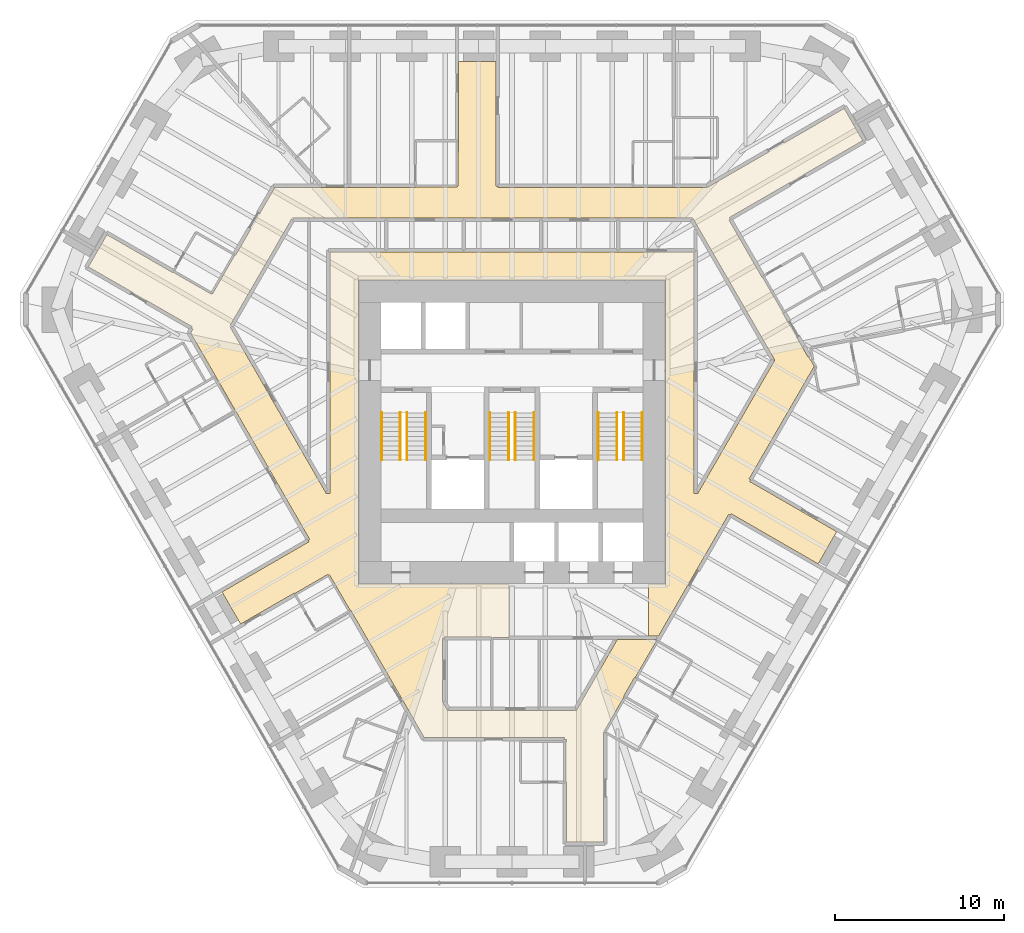
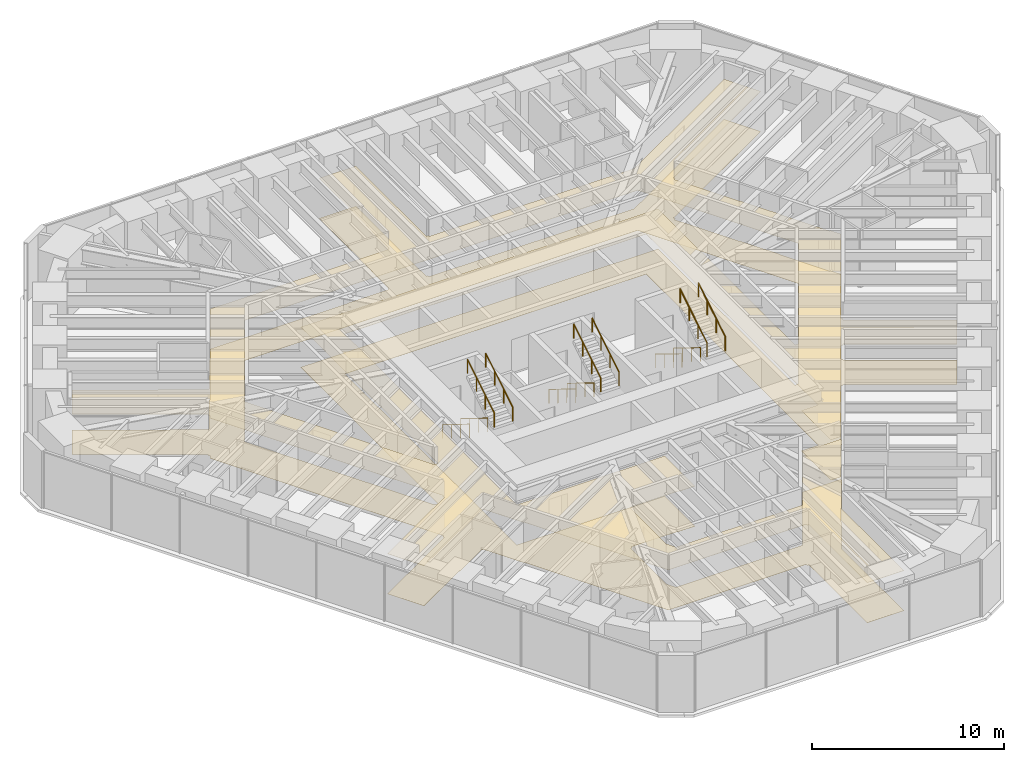
# One storey, part 17 of 17: 12 railings, 2 coverings.
"""IFC4 building model written with IfcOpenShell, lengths in metres."""

from ifc_helpers import new_model, si_unit, direction, frame, origin, origin_2d, place, context, subcontext, project, spatial, polyline, circle, outline, extrude, material, layer, layer_set, type_object, element, save


model = new_model("IFC4")

# Units and contexts
model_context = context("Model", 3, precision=1e-05, world=origin(), true_north=direction((0.0, 1.0)))
body_context = subcontext(model_context, "Body", "Model", "MODEL_VIEW")
ifc_project = project(units=[si_unit("LENGTHUNIT", "METRE"), si_unit("AREAUNIT", "SQUARE_METRE"), si_unit("VOLUMEUNIT", "CUBIC_METRE"), si_unit("PLANEANGLEUNIT", "RADIAN"), si_unit("MASSUNIT", "GRAM", prefix="KILO")], contexts=[model_context])

# Site, building, storey
site_placement = place(None, origin())
site = spatial("IfcSite", under=ifc_project, at=site_placement, CompositionType="ELEMENT")
building_placement = place(site_placement, origin())
building = spatial("IfcBuilding", under=site, at=building_placement, Name="Sandreach Pilgrim Tower", CompositionType="ELEMENT")
storey_placement = place(building_placement, frame((0.0, 0.0, 142.39990234375)))
storey = spatial("IfcBuildingStorey", under=building, at=storey_placement, Name="L35", CompositionType="ELEMENT", Elevation=142.39990234375)

# Coverings
ifc_material_1 = material(Name="Nylon carpet tile on the slab", Category="textile")
ifc_layer_1 = layer(ifc_material_1, 0.008056640625)
ifc_layer_set_1 = layer_set([ifc_layer_1], Name="Carpet tile")
covering_type_1 = type_object("IfcCoveringType", Name="Carpet tile", PredefinedType="FLOORING", material=ifc_layer_set_1)
covering_1_placement = place(storey_placement, origin())
element("IfcCovering", 1, at=covering_1_placement, inside=storey, type_object=covering_type_1, Name="Floor finish 35C Corridor 35", PredefinedType="FLOORING", context=body_context, shape_type="SweptSolid", body=[
    extrude(outline(polyline([(-25.033447265625, 8.206787109375), (-23.933349609375, 10.113525390625), (-20.04150390625, 7.870849609375), (-20.02880859375, 7.892578125), (-17.751708984375, 6.597412109375), (-17.72119140625, 6.649169921875), (-17.68798828125, 6.6298828125), (-16.37353515625, 8.923095703125), (-16.330322265625, 8.898193359375), (-14.022216796875, 12.889892578125), (-5.699951171875, 12.889892578125), (-5.699951171875, 12.9208984375), (-3.25, 12.929931640625), (-3.247802734375, 12.989990234375), (-3.18994140625, 12.989990234375), (-3.18994140625, 14.568115234375), (-3.14990234375, 15.659912109375), (-3.14990234375, 20.333740234375), (-0.949951171875, 20.333740234375), (-0.949951171875, 12.989990234375), (-0.840087890625, 12.989990234375), (-0.840087890625, 12.889892578125), (11.516845703125, 12.889892578125), (19.623291015625, 17.5732421875), (20.723388671875, 15.666748046875), (12.85009765625, 11.126708984375), (12.907470703125, 11.027099609375), (12.82080078125, 10.97705078125), (14.763427734375, 7.610107421875), (14.779052734375, 7.619140625), (16.013916015625, 5.501708984375), (15.991943359375, 5.489013671875), (17.48974609375, 2.88232421875), (17.52880859375, 2.904052734375), (17.8603515625, 2.335693359375), (14.010986328125, -4.31689453125), (14.097412109375, -4.366943359375), (14.0400390625, -4.466552734375), (19.1865234375, -7.435791015625), (18.085693359375, -9.342041015625), (12.952880859375, -6.380859375), (12.904541015625, -6.46484375), (12.803466796875, -6.41015625), (8.657470703125, -13.60009765625), (8.050048828125, -13.60009765625), (8.050048828125, -10.52001953125), (9.070068359375, -10.52001953125), (9.070068359375, 7.419921875), (-9.070068359375, 7.419921875), (-9.070068359375, -10.52001953125), (-0.175048828125, -10.52001953125), (-0.175048828125, -13.68994140625), (-1.199951171875, -13.67919921875), (-1.199951171875, -13.64990234375), (-3.989990234375, -13.64990234375), (-3.989990234375, -13.75), (-4.10009765625, -13.75), (-4.10009765625, -17.487060546875), (-3.8076171875, -17.989990234375), (3.8076171875, -17.989990234375), (6.2265625, -13.800048828125), (8.542236328125, -13.800048828125), (8.513427734375, -13.85009765625), (8.548095703125, -13.8701171875), (7.279541015625, -16.06103515625), (7.243408203125, -16.0400390625), (6.603271484375, -17.150146484375), (6.6376953125, -17.169677734375), (5.409912109375, -19.2900390625), (5.409912109375, -25.780029296875), (3.2099609375, -25.780029296875), (3.2099609375, -19.699951171875), (3.110107421875, -19.699951171875), (3.110107421875, -19.590087890625), (-5.192138671875, -19.590087890625), (-9.5234375, -12.090087890625), (-9.55029296875, -12.10546875), (-10.7880859375, -9.97998046875), (-10.840576171875, -10.009033203125), (-10.8701171875, -9.9580078125), (-12.840087890625, -11.09814453125), (-12.85986328125, -11.0634765625), (-16.033935546875, -12.89599609375), (-17.130615234375, -10.99658203125), (-12.0029296875, -8.0341796875), (-12.052978515625, -7.947509765625), (-11.953369140625, -7.89013671875), (-18.98486328125, 4.300048828125), (-18.858154296875, 4.521728515625), (-18.945068359375, 4.5712890625), (-18.89013671875, 4.666748046875), (-25.033447265625, 8.206787109375)]), holes=[polyline([(-10.96533203125, -5.18994140625), (-10.75, -5.18994140625), (-10.75, 9.10009765625), (10.75, 9.10009765625), (10.75, -5.18994140625), (10.965576171875, -5.18994140625), (15.525390625, 2.699951171875), (10.677734375, 11.090087890625), (-12.98779296875, 11.090087890625), (-16.675537109375, 4.699951171875), (-10.96533203125, -5.18994140625)])]), origin(), (0.0, 0.0, 1.0), 0.008056640625),
])
ifc_material_2 = material(Name="Gypsum board suspended ceiling on a steel grid", Category="steel")
ifc_layer_2 = layer(ifc_material_2, 0.012939453125)
ifc_layer_set_2 = layer_set([ifc_layer_2], Name="Gypsum board suspended ceiling")
covering_type_2 = type_object("IfcCoveringType", Name="Gypsum board suspended ceiling", PredefinedType="CEILING", material=ifc_layer_set_2)
covering_2_placement = place(storey_placement, frame((0.0, 0.0, 2.550048828125)))
element("IfcCovering", 2, at=covering_2_placement, inside=storey, type_object=covering_type_2, Name="Ceiling 35C Corridor 35", PredefinedType="CEILING", context=body_context, shape_type="SweptSolid", body=[
    extrude(outline(polyline([(-25.033447265625, 8.206787109375), (-23.933349609375, 10.113525390625), (-20.04150390625, 7.870849609375), (-20.02880859375, 7.892578125), (-17.751708984375, 6.597412109375), (-17.72119140625, 6.649169921875), (-17.68798828125, 6.6298828125), (-16.37353515625, 8.923095703125), (-16.330322265625, 8.898193359375), (-14.022216796875, 12.889892578125), (-5.699951171875, 12.889892578125), (-5.699951171875, 12.9208984375), (-3.25, 12.929931640625), (-3.247802734375, 12.989990234375), (-3.18994140625, 12.989990234375), (-3.18994140625, 14.568115234375), (-3.14990234375, 15.659912109375), (-3.14990234375, 20.333740234375), (-0.949951171875, 20.333740234375), (-0.949951171875, 12.989990234375), (-0.840087890625, 12.989990234375), (-0.840087890625, 12.889892578125), (11.516845703125, 12.889892578125), (19.623291015625, 17.5732421875), (20.723388671875, 15.666748046875), (12.85009765625, 11.126708984375), (12.907470703125, 11.027099609375), (12.82080078125, 10.97705078125), (14.763427734375, 7.610107421875), (14.779052734375, 7.619140625), (16.013916015625, 5.501708984375), (15.991943359375, 5.489013671875), (17.48974609375, 2.88232421875), (17.52880859375, 2.904052734375), (17.8603515625, 2.335693359375), (14.010986328125, -4.31689453125), (14.097412109375, -4.366943359375), (14.0400390625, -4.466552734375), (19.1865234375, -7.435791015625), (18.085693359375, -9.342041015625), (12.952880859375, -6.380859375), (12.904541015625, -6.46484375), (12.803466796875, -6.41015625), (8.657470703125, -13.60009765625), (8.050048828125, -13.60009765625), (8.050048828125, -10.52001953125), (9.070068359375, -10.52001953125), (9.070068359375, 7.419921875), (-9.070068359375, 7.419921875), (-9.070068359375, -10.52001953125), (-0.175048828125, -10.52001953125), (-0.175048828125, -13.68994140625), (-1.199951171875, -13.67919921875), (-1.199951171875, -13.64990234375), (-3.989990234375, -13.64990234375), (-3.989990234375, -13.75), (-4.10009765625, -13.75), (-4.10009765625, -17.487060546875), (-3.8076171875, -17.989990234375), (3.8076171875, -17.989990234375), (6.2265625, -13.800048828125), (8.542236328125, -13.800048828125), (8.513427734375, -13.85009765625), (8.548095703125, -13.8701171875), (7.279541015625, -16.06103515625), (7.243408203125, -16.0400390625), (6.603271484375, -17.150146484375), (6.6376953125, -17.169677734375), (5.409912109375, -19.2900390625), (5.409912109375, -25.780029296875), (3.2099609375, -25.780029296875), (3.2099609375, -19.699951171875), (3.110107421875, -19.699951171875), (3.110107421875, -19.590087890625), (-5.192138671875, -19.590087890625), (-9.5234375, -12.090087890625), (-9.55029296875, -12.10546875), (-10.7880859375, -9.97998046875), (-10.840576171875, -10.009033203125), (-10.8701171875, -9.9580078125), (-12.840087890625, -11.09814453125), (-12.85986328125, -11.0634765625), (-16.033935546875, -12.89599609375), (-17.130615234375, -10.99658203125), (-12.0029296875, -8.0341796875), (-12.052978515625, -7.947509765625), (-11.953369140625, -7.89013671875), (-18.98486328125, 4.300048828125), (-18.858154296875, 4.521728515625), (-18.945068359375, 4.5712890625), (-18.89013671875, 4.666748046875), (-25.033447265625, 8.206787109375)]), holes=[polyline([(-10.96533203125, -5.18994140625), (-10.75, -5.18994140625), (-10.75, 9.10009765625), (10.75, 9.10009765625), (10.75, -5.18994140625), (10.965576171875, -5.18994140625), (15.525390625, 2.699951171875), (10.677734375, 11.090087890625), (-12.98779296875, 11.090087890625), (-16.675537109375, 4.699951171875), (-10.96533203125, -5.18994140625)])]), origin(), (0.0, 0.0, 1.0), 0.012939453125),
])

# Railings
ifc_material_3 = material(Name="Stainless steel tube", Category="steel")
railing_type = type_object("IfcRailingType", Name="Stair handrail", PredefinedType="HANDRAIL", material=ifc_material_3)
for number, where, name in (
    (3, (-6.60009765625, -0.39990234375, 0.1728515625), "Handrail ST1 L35 flight 1"),
    (4, (-7.699951171875, -0.39990234375, 0.1728515625), "Handrail ST1 L35 flight 1"),
):
    element("IfcRailing", number, at=place(storey_placement, frame(where)), inside=storey, type_object=railing_type, Name=name, PredefinedType="HANDRAIL", context=body_context, shape_type="SweptSolid", body=[
        extrude(circle(Radius=0.02392578125, at=origin_2d()), frame((0.0, 0.0, 0.8759765625), z_axis=(0.0, -0.851089632645, 0.525020415988), x_axis=(1.0, 0.0, 0.0)), (0.0, 0.0, 1.0), 3.2900390625),
        extrude(circle(Radius=0.02099609375, at=origin_2d()), origin(), (0.0, 0.0, 1.0), 0.851806640625),
        extrude(circle(Radius=0.02099609375, at=origin_2d()), frame((0.0, -0.933349609375, 0.57568359375)), (0.0, 0.0, 1.0), 0.851806640625),
        extrude(circle(Radius=0.02099609375, at=origin_2d()), frame((0.0, -1.86669921875, 1.151611328125)), (0.0, 0.0, 1.0), 0.851806640625),
        extrude(circle(Radius=0.02099609375, at=origin_2d()), frame((0.0, -2.800048828125, 1.727294921875)), (0.0, 0.0, 1.0), 0.851806640625),
    ])
for number, where, name in (
    (5, (-6.199951171875, -3.199951171875, 2.07275390625), "Handrail ST1 L35 flight 2"),
    (6, (-5.10009765625, -3.199951171875, 2.07275390625), "Handrail ST1 L35 flight 2"),
):
    element("IfcRailing", number, at=place(storey_placement, frame(where)), inside=storey, type_object=railing_type, Name=name, PredefinedType="HANDRAIL", context=body_context, shape_type="SweptSolid", body=[
        extrude(circle(Radius=0.02392578125, at=origin_2d()), frame((0.0, 0.0, 0.8759765625), z_axis=(0.0, 0.851089632645, 0.525020415988), x_axis=(-1.0, 0.0, 0.0)), (0.0, 0.0, 1.0), 3.2900390625),
        extrude(circle(Radius=0.02099609375, at=origin_2d()), origin(), (0.0, 0.0, 1.0), 0.851806640625),
        extrude(circle(Radius=0.02099609375, at=origin_2d()), frame((0.0, 0.933349609375, 0.57568359375)), (0.0, 0.0, 1.0), 0.851806640625),
        extrude(circle(Radius=0.02099609375, at=origin_2d()), frame((0.0, 1.86669921875, 1.151611328125)), (0.0, 0.0, 1.0), 0.851806640625),
        extrude(circle(Radius=0.02099609375, at=origin_2d()), frame((0.0, 2.800048828125, 1.727294921875)), (0.0, 0.0, 1.0), 0.851806640625),
    ])
for number, where, name in (
    (7, (-0.199951171875, -0.39990234375, 0.1728515625), "Handrail ST3 L35 flight 1"),
    (8, (-1.300048828125, -0.39990234375, 0.1728515625), "Handrail ST3 L35 flight 1"),
):
    element("IfcRailing", number, at=place(storey_placement, frame(where)), inside=storey, type_object=railing_type, Name=name, PredefinedType="HANDRAIL", context=body_context, shape_type="SweptSolid", body=[
        extrude(circle(Radius=0.02392578125, at=origin_2d()), frame((0.0, 0.0, 0.8759765625), z_axis=(0.0, -0.851089632645, 0.525020415988), x_axis=(1.0, 0.0, 0.0)), (0.0, 0.0, 1.0), 3.2900390625),
        extrude(circle(Radius=0.02099609375, at=origin_2d()), origin(), (0.0, 0.0, 1.0), 0.851806640625),
        extrude(circle(Radius=0.02099609375, at=origin_2d()), frame((0.0, -0.933349609375, 0.57568359375)), (0.0, 0.0, 1.0), 0.851806640625),
        extrude(circle(Radius=0.02099609375, at=origin_2d()), frame((0.0, -1.86669921875, 1.151611328125)), (0.0, 0.0, 1.0), 0.851806640625),
        extrude(circle(Radius=0.02099609375, at=origin_2d()), frame((0.0, -2.800048828125, 1.727294921875)), (0.0, 0.0, 1.0), 0.851806640625),
    ])
for number, where, name in (
    (9, (0.199951171875, -3.199951171875, 2.07275390625), "Handrail ST3 L35 flight 2"),
    (10, (1.300048828125, -3.199951171875, 2.07275390625), "Handrail ST3 L35 flight 2"),
):
    element("IfcRailing", number, at=place(storey_placement, frame(where)), inside=storey, type_object=railing_type, Name=name, PredefinedType="HANDRAIL", context=body_context, shape_type="SweptSolid", body=[
        extrude(circle(Radius=0.02392578125, at=origin_2d()), frame((0.0, 0.0, 0.8759765625), z_axis=(0.0, 0.851089632645, 0.525020415988), x_axis=(-1.0, 0.0, 0.0)), (0.0, 0.0, 1.0), 3.2900390625),
        extrude(circle(Radius=0.02099609375, at=origin_2d()), origin(), (0.0, 0.0, 1.0), 0.851806640625),
        extrude(circle(Radius=0.02099609375, at=origin_2d()), frame((0.0, 0.933349609375, 0.57568359375)), (0.0, 0.0, 1.0), 0.851806640625),
        extrude(circle(Radius=0.02099609375, at=origin_2d()), frame((0.0, 1.86669921875, 1.151611328125)), (0.0, 0.0, 1.0), 0.851806640625),
        extrude(circle(Radius=0.02099609375, at=origin_2d()), frame((0.0, 2.800048828125, 1.727294921875)), (0.0, 0.0, 1.0), 0.851806640625),
    ])
for number, where, name in (
    (11, (6.199951171875, -0.39990234375, 0.1728515625), "Handrail ST2 L35 flight 1"),
    (12, (5.10009765625, -0.39990234375, 0.1728515625), "Handrail ST2 L35 flight 1"),
):
    element("IfcRailing", number, at=place(storey_placement, frame(where)), inside=storey, type_object=railing_type, Name=name, PredefinedType="HANDRAIL", context=body_context, shape_type="SweptSolid", body=[
        extrude(circle(Radius=0.02392578125, at=origin_2d()), frame((0.0, 0.0, 0.8759765625), z_axis=(0.0, -0.851089632645, 0.525020415988), x_axis=(1.0, 0.0, 0.0)), (0.0, 0.0, 1.0), 3.2900390625),
        extrude(circle(Radius=0.02099609375, at=origin_2d()), origin(), (0.0, 0.0, 1.0), 0.851806640625),
        extrude(circle(Radius=0.02099609375, at=origin_2d()), frame((0.0, -0.933349609375, 0.57568359375)), (0.0, 0.0, 1.0), 0.851806640625),
        extrude(circle(Radius=0.02099609375, at=origin_2d()), frame((0.0, -1.86669921875, 1.151611328125)), (0.0, 0.0, 1.0), 0.851806640625),
        extrude(circle(Radius=0.02099609375, at=origin_2d()), frame((0.0, -2.800048828125, 1.727294921875)), (0.0, 0.0, 1.0), 0.851806640625),
    ])
for number, where, name in (
    (13, (6.60009765625, -3.199951171875, 2.07275390625), "Handrail ST2 L35 flight 2"),
    (14, (7.699951171875, -3.199951171875, 2.07275390625), "Handrail ST2 L35 flight 2"),
):
    element("IfcRailing", number, at=place(storey_placement, frame(where)), inside=storey, type_object=railing_type, Name=name, PredefinedType="HANDRAIL", context=body_context, shape_type="SweptSolid", body=[
        extrude(circle(Radius=0.02392578125, at=origin_2d()), frame((0.0, 0.0, 0.8759765625), z_axis=(0.0, 0.851089632645, 0.525020415988), x_axis=(-1.0, 0.0, 0.0)), (0.0, 0.0, 1.0), 3.2900390625),
        extrude(circle(Radius=0.02099609375, at=origin_2d()), origin(), (0.0, 0.0, 1.0), 0.851806640625),
        extrude(circle(Radius=0.02099609375, at=origin_2d()), frame((0.0, 0.933349609375, 0.57568359375)), (0.0, 0.0, 1.0), 0.851806640625),
        extrude(circle(Radius=0.02099609375, at=origin_2d()), frame((0.0, 1.86669921875, 1.151611328125)), (0.0, 0.0, 1.0), 0.851806640625),
        extrude(circle(Radius=0.02099609375, at=origin_2d()), frame((0.0, 2.800048828125, 1.727294921875)), (0.0, 0.0, 1.0), 0.851806640625),
    ])

save(model, "model.ifc")
